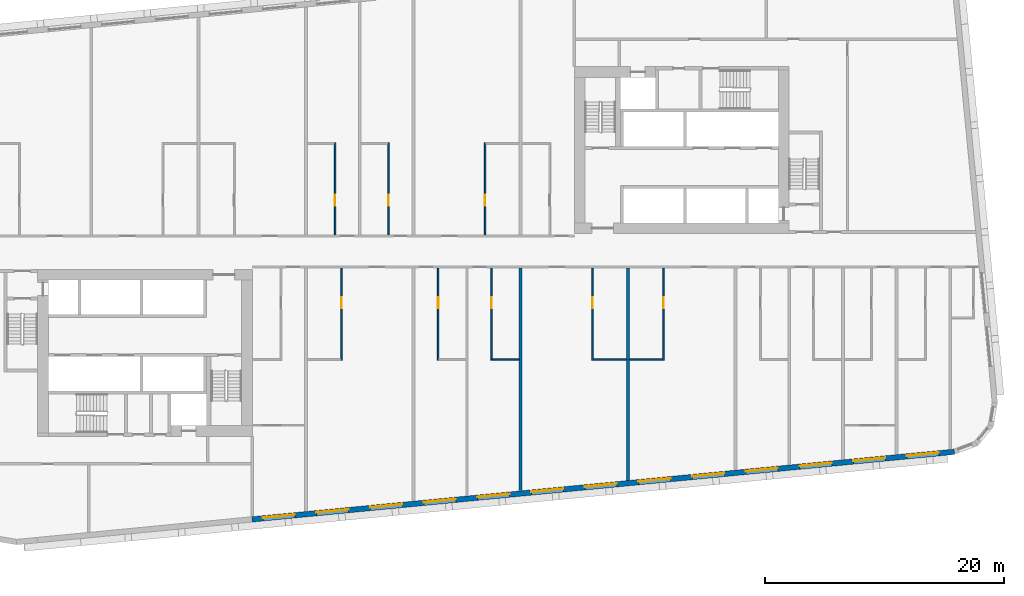
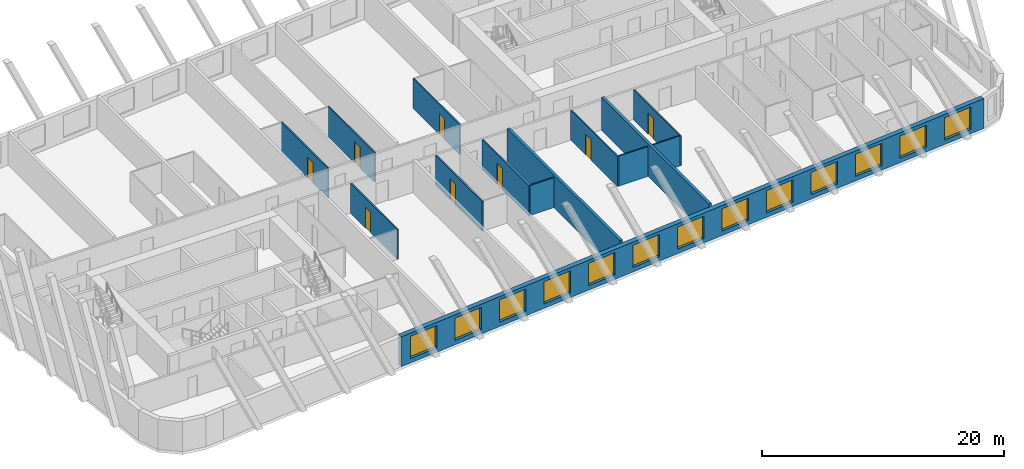
# One storey, part 4 of 13: 14 walls, 13 windows, 8 doors, 21 openings.
"""IFC4 building model written with IfcOpenShell, lengths in metres."""

from ifc_helpers import new_model, si_unit, direction, frame, frame_2d, origin, place, context, subcontext, project, spatial, rectangle, extrude, material, layer, layer_set, type_object, element, fill, save


model = new_model("IFC4")

# Units and contexts
model_context = context("Model", 3, precision=1e-05, world=origin(), true_north=direction((0.0, 1.0)))
body_context = subcontext(model_context, "Body", "Model", "MODEL_VIEW")
ifc_project = project(units=[si_unit("LENGTHUNIT", "METRE"), si_unit("AREAUNIT", "SQUARE_METRE"), si_unit("VOLUMEUNIT", "CUBIC_METRE"), si_unit("PLANEANGLEUNIT", "RADIAN"), si_unit("MASSUNIT", "GRAM", prefix="KILO")], contexts=[model_context])

# Site, building, storey
site_placement = place(None, origin())
site = spatial("IfcSite", under=ifc_project, at=site_placement, CompositionType="ELEMENT")
building_placement = place(site_placement, origin())
building = spatial("IfcBuilding", under=site, at=building_placement, Name="Kajstack Hotel Tower", CompositionType="ELEMENT")
storey_placement = place(building_placement, frame((0.0, 0.0, 130.60009765625)))
storey = spatial("IfcBuildingStorey", under=building, at=storey_placement, Name="L29", CompositionType="ELEMENT", Elevation=130.60009765625)

# Wall, openings, windows
ifc_material_1 = material(Name="Terracotta-faced brick masonry", Category="masonry")
ifc_layer_1 = layer(ifc_material_1, 0.449951171875)
ifc_layer_set_1 = layer_set([ifc_layer_1], Name="EW-TERRA")
wall_type_1 = type_object("IfcWallType", Name="EW-TERRA", PredefinedType="SOLIDWALL", material=ifc_layer_set_1)
wall_1_placement = place(storey_placement, frame((-13.521484375, -22.46044921875, 0.0), z_axis=(0.0, 0.0, 1.0), x_axis=(0.995396096335, 0.095846812164, 0.0)))
wall_1 = element("IfcWall", 1, at=wall_1_placement, inside=storey, type_object=wall_type_1, Name="E-wall-L29-04-02", PredefinedType="SOLIDWALL", context=body_context, shape_type="SweptSolid", body=[
    extrude(rectangle(XDim=59.15087890625, YDim=0.449951171875, at=frame_2d((29.575439453125, 0.0))), origin(), (0.0, 0.0, 1.0), 3.02001953125),
])
opening_1_placement = place(wall_1_placement, frame((0.910400390625, 0.0, 0.449951171875)))
opening_1 = element("IfcOpeningElement", 2, at=opening_1_placement, cuts=wall_1, Name="Opening W1", PredefinedType="OPENING", context=body_context, shape_type="SweptSolid", body=[
    extrude(rectangle(XDim=2.699951171875, YDim=2.25, at=frame_2d((1.35009765625, 1.125))), frame((0.0, 0.23486328125, 0.0), z_axis=(0.0, -1.0, 0.0), x_axis=(1.0, 0.0, 0.0)), (0.0, 0.0, 1.0), 0.469970703125),
])
opening_2_placement = place(wall_1_placement, frame((5.43115234375, 0.0, 0.449951171875)))
opening_2 = element("IfcOpeningElement", 3, at=opening_2_placement, cuts=wall_1, Name="Opening W1", PredefinedType="OPENING", context=body_context, shape_type="SweptSolid", body=[
    extrude(rectangle(XDim=2.699951171875, YDim=2.25, at=frame_2d((1.35009765625, 1.125))), frame((0.0, 0.23486328125, 0.0), z_axis=(0.0, -1.0, 0.0), x_axis=(1.0, 0.0, 0.0)), (0.0, 0.0, 1.0), 0.469970703125),
])
opening_3_placement = place(wall_1_placement, frame((9.951904296875, 0.0, 0.449951171875)))
opening_3 = element("IfcOpeningElement", 4, at=opening_3_placement, cuts=wall_1, Name="Opening W1", PredefinedType="OPENING", context=body_context, shape_type="SweptSolid", body=[
    extrude(rectangle(XDim=2.699951171875, YDim=2.25, at=frame_2d((1.35009765625, 1.125))), frame((0.0, 0.23486328125, 0.0), z_axis=(0.0, -1.0, 0.0), x_axis=(1.0, 0.0, 0.0)), (0.0, 0.0, 1.0), 0.469970703125),
])
opening_4_placement = place(wall_1_placement, frame((14.472900390625, 0.0, 0.449951171875)))
opening_4 = element("IfcOpeningElement", 5, at=opening_4_placement, cuts=wall_1, Name="Opening W1", PredefinedType="OPENING", context=body_context, shape_type="SweptSolid", body=[
    extrude(rectangle(XDim=2.699951171875, YDim=2.25, at=frame_2d((1.35009765625, 1.125))), frame((0.0, 0.23486328125, 0.0), z_axis=(0.0, -1.0, 0.0), x_axis=(1.0, 0.0, 0.0)), (0.0, 0.0, 1.0), 0.469970703125),
])
opening_5_placement = place(wall_1_placement, frame((18.99365234375, 0.0, 0.449951171875)))
opening_5 = element("IfcOpeningElement", 6, at=opening_5_placement, cuts=wall_1, Name="Opening W1", PredefinedType="OPENING", context=body_context, shape_type="SweptSolid", body=[
    extrude(rectangle(XDim=2.699951171875, YDim=2.25, at=frame_2d((1.35009765625, 1.125))), frame((0.0, 0.23486328125, 0.0), z_axis=(0.0, -1.0, 0.0), x_axis=(1.0, 0.0, 0.0)), (0.0, 0.0, 1.0), 0.469970703125),
])
opening_6_placement = place(wall_1_placement, frame((23.514404296875, 0.0, 0.449951171875)))
opening_6 = element("IfcOpeningElement", 7, at=opening_6_placement, cuts=wall_1, Name="Opening W1", PredefinedType="OPENING", context=body_context, shape_type="SweptSolid", body=[
    extrude(rectangle(XDim=2.699951171875, YDim=2.25, at=frame_2d((1.35009765625, 1.125))), frame((0.0, 0.23486328125, 0.0), z_axis=(0.0, -1.0, 0.0), x_axis=(1.0, 0.0, 0.0)), (0.0, 0.0, 1.0), 0.469970703125),
])
opening_7_placement = place(wall_1_placement, frame((28.035400390625, 0.0, 0.449951171875)))
opening_7 = element("IfcOpeningElement", 8, at=opening_7_placement, cuts=wall_1, Name="Opening W1", PredefinedType="OPENING", context=body_context, shape_type="SweptSolid", body=[
    extrude(rectangle(XDim=2.699951171875, YDim=2.25, at=frame_2d((1.35009765625, 1.125))), frame((0.0, 0.23486328125, 0.0), z_axis=(0.0, -1.0, 0.0), x_axis=(1.0, 0.0, 0.0)), (0.0, 0.0, 1.0), 0.469970703125),
])
opening_8_placement = place(wall_1_placement, frame((32.55615234375, 0.0, 0.449951171875)))
opening_8 = element("IfcOpeningElement", 9, at=opening_8_placement, cuts=wall_1, Name="Opening W1", PredefinedType="OPENING", context=body_context, shape_type="SweptSolid", body=[
    extrude(rectangle(XDim=2.699951171875, YDim=2.25, at=frame_2d((1.35009765625, 1.125))), frame((0.0, 0.23486328125, 0.0), z_axis=(0.0, -1.0, 0.0), x_axis=(1.0, 0.0, 0.0)), (0.0, 0.0, 1.0), 0.469970703125),
])
opening_9_placement = place(wall_1_placement, frame((37.076904296875, 0.0, 0.449951171875)))
opening_9 = element("IfcOpeningElement", 10, at=opening_9_placement, cuts=wall_1, Name="Opening W1", PredefinedType="OPENING", context=body_context, shape_type="SweptSolid", body=[
    extrude(rectangle(XDim=2.699951171875, YDim=2.25, at=frame_2d((1.35009765625, 1.125))), frame((0.0, 0.23486328125, 0.0), z_axis=(0.0, -1.0, 0.0), x_axis=(1.0, 0.0, 0.0)), (0.0, 0.0, 1.0), 0.469970703125),
])
opening_10_placement = place(wall_1_placement, frame((41.59765625, 0.0, 0.449951171875)))
opening_10 = element("IfcOpeningElement", 11, at=opening_10_placement, cuts=wall_1, Name="Opening W1", PredefinedType="OPENING", context=body_context, shape_type="SweptSolid", body=[
    extrude(rectangle(XDim=2.699951171875, YDim=2.25, at=frame_2d((1.35009765625, 1.125))), frame((0.0, 0.23486328125, 0.0), z_axis=(0.0, -1.0, 0.0), x_axis=(1.0, 0.0, 0.0)), (0.0, 0.0, 1.0), 0.469970703125),
])
opening_11_placement = place(wall_1_placement, frame((46.118408203125, 0.0, 0.449951171875)))
opening_11 = element("IfcOpeningElement", 12, at=opening_11_placement, cuts=wall_1, Name="Opening W1", PredefinedType="OPENING", context=body_context, shape_type="SweptSolid", body=[
    extrude(rectangle(XDim=2.699951171875, YDim=2.25, at=frame_2d((1.35009765625, 1.125))), frame((0.0, 0.23486328125, 0.0), z_axis=(0.0, -1.0, 0.0), x_axis=(1.0, 0.0, 0.0)), (0.0, 0.0, 1.0), 0.469970703125),
])
opening_12_placement = place(wall_1_placement, frame((50.639404296875, 0.0, 0.449951171875)))
opening_12 = element("IfcOpeningElement", 13, at=opening_12_placement, cuts=wall_1, Name="Opening W1", PredefinedType="OPENING", context=body_context, shape_type="SweptSolid", body=[
    extrude(rectangle(XDim=2.699951171875, YDim=2.25, at=frame_2d((1.35009765625, 1.125))), frame((0.0, 0.23486328125, 0.0), z_axis=(0.0, -1.0, 0.0), x_axis=(1.0, 0.0, 0.0)), (0.0, 0.0, 1.0), 0.469970703125),
])
opening_13_placement = place(wall_1_placement, frame((55.149658203125, 0.0, 0.449951171875)))
opening_13 = element("IfcOpeningElement", 14, at=opening_13_placement, cuts=wall_1, Name="Opening W1", PredefinedType="OPENING", context=body_context, shape_type="SweptSolid", body=[
    extrude(rectangle(XDim=2.699951171875, YDim=2.25, at=frame_2d((1.35009765625, 1.125))), frame((0.0, 0.23486328125, 0.0), z_axis=(0.0, -1.0, 0.0), x_axis=(1.0, 0.0, 0.0)), (0.0, 0.0, 1.0), 0.469970703125),
])
ifc_material_2 = material(Name="Timber-aluminium window, triple glazed", Category="wood")
window_type = type_object("IfcWindowType", Name="WG1", PartitioningType="SINGLE_PANEL", PredefinedType="WINDOW", material=ifc_material_2)
window_1_placement = place(opening_1_placement, origin())
window_1 = element("IfcWindow", 15, at=window_1_placement, inside=storey, type_object=window_type, Name="Window W1 L29-04", OverallHeight=2.25, OverallWidth=2.699951171875, PartitioningType="SINGLE_PANEL", PredefinedType="WINDOW", context=body_context, shape_type="SweptSolid", body=[
    extrude(rectangle(XDim=2.699951171875, YDim=2.25, at=frame_2d((1.35009765625, 1.125))), frame((0.0, 0.090087890625, 0.0), z_axis=(0.0, -1.0, 0.0), x_axis=(1.0, 0.0, 0.0)), (0.0, 0.0, 1.0), 0.06005859375),
])
fill(opening_1, window_1)
window_2_placement = place(opening_2_placement, origin())
window_2 = element("IfcWindow", 16, at=window_2_placement, inside=storey, type_object=window_type, Name="Window W1 L29-04", OverallHeight=2.25, OverallWidth=2.699951171875, PartitioningType="SINGLE_PANEL", PredefinedType="WINDOW", context=body_context, shape_type="SweptSolid", body=[
    extrude(rectangle(XDim=2.699951171875, YDim=2.25, at=frame_2d((1.35009765625, 1.125))), frame((0.0, 0.090087890625, 0.0), z_axis=(0.0, -1.0, 0.0), x_axis=(1.0, 0.0, 0.0)), (0.0, 0.0, 1.0), 0.06005859375),
])
fill(opening_2, window_2)
window_3_placement = place(opening_3_placement, origin())
window_3 = element("IfcWindow", 17, at=window_3_placement, inside=storey, type_object=window_type, Name="Window W1 L29-04", OverallHeight=2.25, OverallWidth=2.699951171875, PartitioningType="SINGLE_PANEL", PredefinedType="WINDOW", context=body_context, shape_type="SweptSolid", body=[
    extrude(rectangle(XDim=2.699951171875, YDim=2.25, at=frame_2d((1.35009765625, 1.125))), frame((0.0, 0.090087890625, 0.0), z_axis=(0.0, -1.0, 0.0), x_axis=(1.0, 0.0, 0.0)), (0.0, 0.0, 1.0), 0.06005859375),
])
fill(opening_3, window_3)
window_4_placement = place(opening_4_placement, origin())
window_4 = element("IfcWindow", 18, at=window_4_placement, inside=storey, type_object=window_type, Name="Window W1 L29-04", OverallHeight=2.25, OverallWidth=2.699951171875, PartitioningType="SINGLE_PANEL", PredefinedType="WINDOW", context=body_context, shape_type="SweptSolid", body=[
    extrude(rectangle(XDim=2.699951171875, YDim=2.25, at=frame_2d((1.35009765625, 1.125))), frame((0.0, 0.090087890625, 0.0), z_axis=(0.0, -1.0, 0.0), x_axis=(1.0, 0.0, 0.0)), (0.0, 0.0, 1.0), 0.06005859375),
])
fill(opening_4, window_4)
window_5_placement = place(opening_5_placement, origin())
window_5 = element("IfcWindow", 19, at=window_5_placement, inside=storey, type_object=window_type, Name="Window W1 L29-04", OverallHeight=2.25, OverallWidth=2.699951171875, PartitioningType="SINGLE_PANEL", PredefinedType="WINDOW", context=body_context, shape_type="SweptSolid", body=[
    extrude(rectangle(XDim=2.699951171875, YDim=2.25, at=frame_2d((1.35009765625, 1.125))), frame((0.0, 0.090087890625, 0.0), z_axis=(0.0, -1.0, 0.0), x_axis=(1.0, 0.0, 0.0)), (0.0, 0.0, 1.0), 0.06005859375),
])
fill(opening_5, window_5)
window_6_placement = place(opening_6_placement, origin())
window_6 = element("IfcWindow", 20, at=window_6_placement, inside=storey, type_object=window_type, Name="Window W1 L29-04", OverallHeight=2.25, OverallWidth=2.699951171875, PartitioningType="SINGLE_PANEL", PredefinedType="WINDOW", context=body_context, shape_type="SweptSolid", body=[
    extrude(rectangle(XDim=2.699951171875, YDim=2.25, at=frame_2d((1.35009765625, 1.125))), frame((0.0, 0.090087890625, 0.0), z_axis=(0.0, -1.0, 0.0), x_axis=(1.0, 0.0, 0.0)), (0.0, 0.0, 1.0), 0.06005859375),
])
fill(opening_6, window_6)
window_7_placement = place(opening_7_placement, origin())
window_7 = element("IfcWindow", 21, at=window_7_placement, inside=storey, type_object=window_type, Name="Window W1 L29-04", OverallHeight=2.25, OverallWidth=2.699951171875, PartitioningType="SINGLE_PANEL", PredefinedType="WINDOW", context=body_context, shape_type="SweptSolid", body=[
    extrude(rectangle(XDim=2.699951171875, YDim=2.25, at=frame_2d((1.35009765625, 1.125))), frame((0.0, 0.090087890625, 0.0), z_axis=(0.0, -1.0, 0.0), x_axis=(1.0, 0.0, 0.0)), (0.0, 0.0, 1.0), 0.06005859375),
])
fill(opening_7, window_7)
window_8_placement = place(opening_8_placement, origin())
window_8 = element("IfcWindow", 22, at=window_8_placement, inside=storey, type_object=window_type, Name="Window W1 L29-04", OverallHeight=2.25, OverallWidth=2.699951171875, PartitioningType="SINGLE_PANEL", PredefinedType="WINDOW", context=body_context, shape_type="SweptSolid", body=[
    extrude(rectangle(XDim=2.699951171875, YDim=2.25, at=frame_2d((1.35009765625, 1.125))), frame((0.0, 0.090087890625, 0.0), z_axis=(0.0, -1.0, 0.0), x_axis=(1.0, 0.0, 0.0)), (0.0, 0.0, 1.0), 0.06005859375),
])
fill(opening_8, window_8)
window_9_placement = place(opening_9_placement, origin())
window_9 = element("IfcWindow", 23, at=window_9_placement, inside=storey, type_object=window_type, Name="Window W1 L29-04", OverallHeight=2.25, OverallWidth=2.699951171875, PartitioningType="SINGLE_PANEL", PredefinedType="WINDOW", context=body_context, shape_type="SweptSolid", body=[
    extrude(rectangle(XDim=2.699951171875, YDim=2.25, at=frame_2d((1.35009765625, 1.125))), frame((0.0, 0.090087890625, 0.0), z_axis=(0.0, -1.0, 0.0), x_axis=(1.0, 0.0, 0.0)), (0.0, 0.0, 1.0), 0.06005859375),
])
fill(opening_9, window_9)
window_10_placement = place(opening_10_placement, origin())
window_10 = element("IfcWindow", 24, at=window_10_placement, inside=storey, type_object=window_type, Name="Window W1 L29-04", OverallHeight=2.25, OverallWidth=2.699951171875, PartitioningType="SINGLE_PANEL", PredefinedType="WINDOW", context=body_context, shape_type="SweptSolid", body=[
    extrude(rectangle(XDim=2.699951171875, YDim=2.25, at=frame_2d((1.35009765625, 1.125))), frame((0.0, 0.090087890625, 0.0), z_axis=(0.0, -1.0, 0.0), x_axis=(1.0, 0.0, 0.0)), (0.0, 0.0, 1.0), 0.06005859375),
])
fill(opening_10, window_10)
window_11_placement = place(opening_11_placement, origin())
window_11 = element("IfcWindow", 25, at=window_11_placement, inside=storey, type_object=window_type, Name="Window W1 L29-04", OverallHeight=2.25, OverallWidth=2.699951171875, PartitioningType="SINGLE_PANEL", PredefinedType="WINDOW", context=body_context, shape_type="SweptSolid", body=[
    extrude(rectangle(XDim=2.699951171875, YDim=2.25, at=frame_2d((1.35009765625, 1.125))), frame((0.0, 0.090087890625, 0.0), z_axis=(0.0, -1.0, 0.0), x_axis=(1.0, 0.0, 0.0)), (0.0, 0.0, 1.0), 0.06005859375),
])
fill(opening_11, window_11)
window_12_placement = place(opening_12_placement, origin())
window_12 = element("IfcWindow", 26, at=window_12_placement, inside=storey, type_object=window_type, Name="Window W1 L29-04", OverallHeight=2.25, OverallWidth=2.699951171875, PartitioningType="SINGLE_PANEL", PredefinedType="WINDOW", context=body_context, shape_type="SweptSolid", body=[
    extrude(rectangle(XDim=2.699951171875, YDim=2.25, at=frame_2d((1.35009765625, 1.125))), frame((0.0, 0.090087890625, 0.0), z_axis=(0.0, -1.0, 0.0), x_axis=(1.0, 0.0, 0.0)), (0.0, 0.0, 1.0), 0.06005859375),
])
fill(opening_12, window_12)
window_13_placement = place(opening_13_placement, origin())
window_13 = element("IfcWindow", 27, at=window_13_placement, inside=storey, type_object=window_type, Name="Window W1 L29-04", OverallHeight=2.25, OverallWidth=2.699951171875, PartitioningType="SINGLE_PANEL", PredefinedType="WINDOW", context=body_context, shape_type="SweptSolid", body=[
    extrude(rectangle(XDim=2.699951171875, YDim=2.25, at=frame_2d((1.35009765625, 1.125))), frame((0.0, 0.090087890625, 0.0), z_axis=(0.0, -1.0, 0.0), x_axis=(1.0, 0.0, 0.0)), (0.0, 0.0, 1.0), 0.06005859375),
])
fill(opening_13, window_13)

# Wall, opening, door
ifc_material_3 = material(Name="Gypsum board and tiled backer on steel studs", Category="steel")
ifc_layer_2 = layer(ifc_material_3, 0.125)
ifc_layer_set_2 = layer_set([ifc_layer_2], Name="En-suite wall 125")
wall_type_2 = type_object("IfcWallType", Name="En-suite wall 125", PredefinedType="PARTITIONING", material=ifc_layer_set_2)
wall_2_placement = place(storey_placement, frame((-6.56201171875, 1.39990234375, 0.0), z_axis=(0.0, 0.0, 1.0), x_axis=(0.0, 1.0, 0.0)))
wall_2 = element("IfcWall", 28, at=wall_2_placement, inside=storey, type_object=wall_type_2, Name="G-wall-L29-013", PredefinedType="PARTITIONING", context=body_context, shape_type="SweptSolid", body=[
    extrude(rectangle(XDim=7.72509765625, YDim=0.125, at=frame_2d((3.862548828125, 0.0))), origin(), (0.0, 0.0, 1.0), 3.02001953125),
])
opening_14_placement = place(wall_2_placement, frame((2.449951171875, 0.0, 0.0)))
opening_14 = element("IfcOpeningElement", 29, at=opening_14_placement, cuts=wall_2, Name="Opening 29010", PredefinedType="OPENING", context=body_context, shape_type="SweptSolid", body=[
    extrude(rectangle(XDim=0.89990234375, YDim=2.10009765625, at=frame_2d((0.449951171875, 1.050048828125))), frame((0.0, 0.072509765625, 0.0), z_axis=(0.0, -1.0, 0.0), x_axis=(1.0, 0.0, 0.0)), (0.0, 0.0, 1.0), 0.14501953125),
])
ifc_material_4 = material(Name="Painted timber door leaf", Category="wood")
door_type = type_object("IfcDoorType", Name="Room door 900", OperationType="SINGLE_SWING_LEFT", PredefinedType="DOOR", material=ifc_material_4)
door_1_placement = place(opening_14_placement, origin())
door_1 = element("IfcDoor", 30, at=door_1_placement, inside=storey, type_object=door_type, Name="G-door-L29-10", OperationType="SINGLE_SWING_LEFT", OverallHeight=2.10009765625, OverallWidth=0.89990234375, PredefinedType="DOOR", context=body_context, shape_type="SweptSolid", body=[
    extrude(rectangle(XDim=0.89990234375, YDim=2.10009765625, at=frame_2d((0.449951171875, 1.050048828125))), frame((0.0, 0.02490234375, 0.0), z_axis=(0.0, -1.0, 0.0), x_axis=(1.0, 0.0, 0.0)), (0.0, 0.0, 1.0), 0.050048828125),
])
fill(opening_14, door_1)

wall_3_placement = place(storey_placement, frame((-2.0869140625, 1.39990234375, 0.0), z_axis=(0.0, 0.0, 1.0), x_axis=(0.0, 1.0, 0.0)))
wall_3 = element("IfcWall", 31, at=wall_3_placement, inside=storey, type_object=wall_type_2, Name="G-wall-L29-015", PredefinedType="PARTITIONING", context=body_context, shape_type="SweptSolid", body=[
    extrude(rectangle(XDim=7.72509765625, YDim=0.125, at=frame_2d((3.862548828125, 0.0))), origin(), (0.0, 0.0, 1.0), 3.02001953125),
])
opening_15_placement = place(wall_3_placement, frame((2.449951171875, 0.0, 0.0)))
opening_15 = element("IfcOpeningElement", 32, at=opening_15_placement, cuts=wall_3, Name="Opening 29012", PredefinedType="OPENING", context=body_context, shape_type="SweptSolid", body=[
    extrude(rectangle(XDim=0.89990234375, YDim=2.10009765625, at=frame_2d((0.449951171875, 1.050048828125))), frame((0.0, 0.072509765625, 0.0), z_axis=(0.0, -1.0, 0.0), x_axis=(1.0, 0.0, 0.0)), (0.0, 0.0, 1.0), 0.14501953125),
])
door_2_placement = place(opening_15_placement, origin())
door_2 = element("IfcDoor", 33, at=door_2_placement, inside=storey, type_object=door_type, Name="G-door-L29-12", OperationType="SINGLE_SWING_LEFT", OverallHeight=2.10009765625, OverallWidth=0.89990234375, PredefinedType="DOOR", context=body_context, shape_type="SweptSolid", body=[
    extrude(rectangle(XDim=0.89990234375, YDim=2.10009765625, at=frame_2d((0.449951171875, 1.050048828125))), frame((0.0, 0.02490234375, 0.0), z_axis=(0.0, -1.0, 0.0), x_axis=(1.0, 0.0, 0.0)), (0.0, 0.0, 1.0), 0.050048828125),
])
fill(opening_15, door_2)

wall_4_placement = place(storey_placement, frame((6.012939453125, 1.39990234375, 0.0), z_axis=(0.0, 0.0, 1.0), x_axis=(0.0, 1.0, 0.0)))
wall_4 = element("IfcWall", 34, at=wall_4_placement, inside=storey, type_object=wall_type_2, Name="G-wall-L29-017", PredefinedType="PARTITIONING", context=body_context, shape_type="SweptSolid", body=[
    extrude(rectangle(XDim=7.72509765625, YDim=0.125, at=frame_2d((3.862548828125, 0.0))), origin(), (0.0, 0.0, 1.0), 3.02001953125),
])
opening_16_placement = place(wall_4_placement, frame((2.449951171875, 0.0, 0.0)))
opening_16 = element("IfcOpeningElement", 35, at=opening_16_placement, cuts=wall_4, Name="Opening 29014", PredefinedType="OPENING", context=body_context, shape_type="SweptSolid", body=[
    extrude(rectangle(XDim=0.89990234375, YDim=2.10009765625, at=frame_2d((0.449951171875, 1.050048828125))), frame((0.0, 0.072509765625, 0.0), z_axis=(0.0, -1.0, 0.0), x_axis=(1.0, 0.0, 0.0)), (0.0, 0.0, 1.0), 0.14501953125),
])
door_3_placement = place(opening_16_placement, origin())
door_3 = element("IfcDoor", 36, at=door_3_placement, inside=storey, type_object=door_type, Name="G-door-L29-14", OperationType="SINGLE_SWING_RIGHT", OverallHeight=2.10009765625, OverallWidth=0.89990234375, PredefinedType="DOOR", context=body_context, shape_type="SweptSolid", body=[
    extrude(rectangle(XDim=0.89990234375, YDim=2.10009765625, at=frame_2d((0.449951171875, 1.050048828125))), frame((0.0, 0.02490234375, 0.0), z_axis=(0.0, -1.0, 0.0), x_axis=(1.0, 0.0, 0.0)), (0.0, 0.0, 1.0), 0.050048828125),
])
fill(opening_16, door_3)

wall_5_placement = place(storey_placement, frame((-6.012939453125, -9.125, 0.0), z_axis=(0.0, 0.0, 1.0), x_axis=(0.0, 1.0, 0.0)))
wall_5 = element("IfcWall", 37, at=wall_5_placement, inside=storey, type_object=wall_type_2, Name="G-wall-L29-025", PredefinedType="PARTITIONING", context=body_context, shape_type="SweptSolid", body=[
    extrude(rectangle(XDim=7.72509765625, YDim=0.125, at=frame_2d((3.862548828125, 0.0))), origin(), (0.0, 0.0, 1.0), 3.02001953125),
])
opening_17_placement = place(wall_5_placement, frame((4.375, 0.0, 0.0)))
opening_17 = element("IfcOpeningElement", 38, at=opening_17_placement, cuts=wall_5, Name="Opening 29021", PredefinedType="OPENING", context=body_context, shape_type="SweptSolid", body=[
    extrude(rectangle(XDim=0.89990234375, YDim=2.10009765625, at=frame_2d((0.449951171875, 1.050048828125))), frame((0.0, 0.072509765625, 0.0), z_axis=(0.0, -1.0, 0.0), x_axis=(1.0, 0.0, 0.0)), (0.0, 0.0, 1.0), 0.14501953125),
])
door_4_placement = place(opening_17_placement, origin())
door_4 = element("IfcDoor", 39, at=door_4_placement, inside=storey, type_object=door_type, Name="G-door-L29-21", OperationType="SINGLE_SWING_RIGHT", OverallHeight=2.10009765625, OverallWidth=0.89990234375, PredefinedType="DOOR", context=body_context, shape_type="SweptSolid", body=[
    extrude(rectangle(XDim=0.89990234375, YDim=2.10009765625, at=frame_2d((0.449951171875, 1.050048828125))), frame((0.0, 0.02490234375, 0.0), z_axis=(0.0, -1.0, 0.0), x_axis=(1.0, 0.0, 0.0)), (0.0, 0.0, 1.0), 0.050048828125),
])
fill(opening_17, door_4)

wall_6_placement = place(storey_placement, frame((2.0869140625, -9.125, 0.0), z_axis=(0.0, 0.0, 1.0), x_axis=(0.0, 1.0, 0.0)))
wall_6 = element("IfcWall", 40, at=wall_6_placement, inside=storey, type_object=wall_type_2, Name="G-wall-L29-028", PredefinedType="PARTITIONING", context=body_context, shape_type="SweptSolid", body=[
    extrude(rectangle(XDim=7.72509765625, YDim=0.125, at=frame_2d((3.862548828125, 0.0))), origin(), (0.0, 0.0, 1.0), 3.02001953125),
])
opening_18_placement = place(wall_6_placement, frame((4.375, 0.0, 0.0)))
opening_18 = element("IfcOpeningElement", 41, at=opening_18_placement, cuts=wall_6, Name="Opening 29023", PredefinedType="OPENING", context=body_context, shape_type="SweptSolid", body=[
    extrude(rectangle(XDim=0.89990234375, YDim=2.10009765625, at=frame_2d((0.449951171875, 1.050048828125))), frame((0.0, 0.072509765625, 0.0), z_axis=(0.0, -1.0, 0.0), x_axis=(1.0, 0.0, 0.0)), (0.0, 0.0, 1.0), 0.14501953125),
])
door_5_placement = place(opening_18_placement, origin())
door_5 = element("IfcDoor", 42, at=door_5_placement, inside=storey, type_object=door_type, Name="G-door-L29-23", OperationType="SINGLE_SWING_LEFT", OverallHeight=2.10009765625, OverallWidth=0.89990234375, PredefinedType="DOOR", context=body_context, shape_type="SweptSolid", body=[
    extrude(rectangle(XDim=0.89990234375, YDim=2.10009765625, at=frame_2d((0.449951171875, 1.050048828125))), frame((0.0, 0.02490234375, 0.0), z_axis=(0.0, -1.0, 0.0), x_axis=(1.0, 0.0, 0.0)), (0.0, 0.0, 1.0), 0.050048828125),
])
fill(opening_18, door_5)

wall_7_placement = place(storey_placement, frame((6.56201171875, -9.125, 0.0), z_axis=(0.0, 0.0, 1.0), x_axis=(0.0, 1.0, 0.0)))
wall_7 = element("IfcWall", 43, at=wall_7_placement, inside=storey, type_object=wall_type_2, Name="G-wall-L29-030", PredefinedType="PARTITIONING", context=body_context, shape_type="SweptSolid", body=[
    extrude(rectangle(XDim=7.72509765625, YDim=0.125, at=frame_2d((3.862548828125, 0.0))), origin(), (0.0, 0.0, 1.0), 3.02001953125),
])
opening_19_placement = place(wall_7_placement, frame((4.375, 0.0, 0.0)))
opening_19 = element("IfcOpeningElement", 44, at=opening_19_placement, cuts=wall_7, Name="Opening 29025", PredefinedType="OPENING", context=body_context, shape_type="SweptSolid", body=[
    extrude(rectangle(XDim=0.89990234375, YDim=2.10009765625, at=frame_2d((0.449951171875, 1.050048828125))), frame((0.0, 0.072509765625, 0.0), z_axis=(0.0, -1.0, 0.0), x_axis=(1.0, 0.0, 0.0)), (0.0, 0.0, 1.0), 0.14501953125),
])
door_6_placement = place(opening_19_placement, origin())
door_6 = element("IfcDoor", 45, at=door_6_placement, inside=storey, type_object=door_type, Name="G-door-L29-25", OperationType="SINGLE_SWING_RIGHT", OverallHeight=2.10009765625, OverallWidth=0.89990234375, PredefinedType="DOOR", context=body_context, shape_type="SweptSolid", body=[
    extrude(rectangle(XDim=0.89990234375, YDim=2.10009765625, at=frame_2d((0.449951171875, 1.050048828125))), frame((0.0, 0.02490234375, 0.0), z_axis=(0.0, -1.0, 0.0), x_axis=(1.0, 0.0, 0.0)), (0.0, 0.0, 1.0), 0.050048828125),
])
fill(opening_19, door_6)

# Wall
wall_8_placement = place(storey_placement, frame((6.625, -9.06201171875, 0.0), z_axis=(0.0, 0.0, 1.0), x_axis=(1.0, 0.0, 0.0)))
element("IfcWall", 46, at=wall_8_placement, inside=storey, type_object=wall_type_2, Name="G-wall-L29-031", PredefinedType="PARTITIONING", context=body_context, shape_type="SweptSolid", body=[
    extrude(rectangle(XDim=2.25, YDim=0.125, at=frame_2d((1.125, 0.0))), origin(), (0.0, 0.0, 1.0), 3.02001953125),
])

# Wall, opening, door
wall_9_placement = place(storey_placement, frame((15.011962890625, -9.125, 0.0), z_axis=(0.0, 0.0, 1.0), x_axis=(0.0, 1.0, 0.0)))
wall_9 = element("IfcWall", 47, at=wall_9_placement, inside=storey, type_object=wall_type_2, Name="G-wall-L29-032", PredefinedType="PARTITIONING", context=body_context, shape_type="SweptSolid", body=[
    extrude(rectangle(XDim=7.72509765625, YDim=0.125, at=frame_2d((3.862548828125, 0.0))), origin(), (0.0, 0.0, 1.0), 3.02001953125),
])
opening_20_placement = place(wall_9_placement, frame((4.375, 0.0, 0.0)))
opening_20 = element("IfcOpeningElement", 48, at=opening_20_placement, cuts=wall_9, Name="Opening 29027", PredefinedType="OPENING", context=body_context, shape_type="SweptSolid", body=[
    extrude(rectangle(XDim=0.89990234375, YDim=2.10009765625, at=frame_2d((0.449951171875, 1.050048828125))), frame((0.0, 0.072509765625, 0.0), z_axis=(0.0, -1.0, 0.0), x_axis=(1.0, 0.0, 0.0)), (0.0, 0.0, 1.0), 0.14501953125),
])
door_7_placement = place(opening_20_placement, origin())
door_7 = element("IfcDoor", 49, at=door_7_placement, inside=storey, type_object=door_type, Name="G-door-L29-27", OperationType="SINGLE_SWING_LEFT", OverallHeight=2.10009765625, OverallWidth=0.89990234375, PredefinedType="DOOR", context=body_context, shape_type="SweptSolid", body=[
    extrude(rectangle(XDim=0.89990234375, YDim=2.10009765625, at=frame_2d((0.449951171875, 1.050048828125))), frame((0.0, 0.02490234375, 0.0), z_axis=(0.0, -1.0, 0.0), x_axis=(1.0, 0.0, 0.0)), (0.0, 0.0, 1.0), 0.050048828125),
])
fill(opening_20, door_7)

# Wall
wall_10_placement = place(storey_placement, frame((15.074951171875, -9.06201171875, 0.0), z_axis=(0.0, 0.0, 1.0), x_axis=(1.0, 0.0, 0.0)))
element("IfcWall", 50, at=wall_10_placement, inside=storey, type_object=wall_type_2, Name="G-wall-L29-033", PredefinedType="PARTITIONING", context=body_context, shape_type="SweptSolid", body=[
    extrude(rectangle(XDim=2.800048828125, YDim=0.125, at=frame_2d((1.39990234375, 0.0))), origin(), (0.0, 0.0, 1.0), 3.02001953125),
])

# Wall, opening, door
wall_11_placement = place(storey_placement, frame((20.988037109375, -9.125, 0.0), z_axis=(0.0, 0.0, 1.0), x_axis=(0.0, 1.0, 0.0)))
wall_11 = element("IfcWall", 51, at=wall_11_placement, inside=storey, type_object=wall_type_2, Name="G-wall-L29-034", PredefinedType="PARTITIONING", context=body_context, shape_type="SweptSolid", body=[
    extrude(rectangle(XDim=7.72509765625, YDim=0.125, at=frame_2d((3.862548828125, 0.0))), origin(), (0.0, 0.0, 1.0), 3.02001953125),
])
opening_21_placement = place(wall_11_placement, frame((4.375, 0.0, 0.0)))
opening_21 = element("IfcOpeningElement", 52, at=opening_21_placement, cuts=wall_11, Name="Opening 29029", PredefinedType="OPENING", context=body_context, shape_type="SweptSolid", body=[
    extrude(rectangle(XDim=0.89990234375, YDim=2.10009765625, at=frame_2d((0.449951171875, 1.050048828125))), frame((0.0, 0.072509765625, 0.0), z_axis=(0.0, -1.0, 0.0), x_axis=(1.0, 0.0, 0.0)), (0.0, 0.0, 1.0), 0.14501953125),
])
door_8_placement = place(opening_21_placement, origin())
door_8 = element("IfcDoor", 53, at=door_8_placement, inside=storey, type_object=door_type, Name="G-door-L29-29", OperationType="SINGLE_SWING_RIGHT", OverallHeight=2.10009765625, OverallWidth=0.89990234375, PredefinedType="DOOR", context=body_context, shape_type="SweptSolid", body=[
    extrude(rectangle(XDim=0.89990234375, YDim=2.10009765625, at=frame_2d((0.449951171875, 1.050048828125))), frame((0.0, 0.02490234375, 0.0), z_axis=(0.0, -1.0, 0.0), x_axis=(1.0, 0.0, 0.0)), (0.0, 0.0, 1.0), 0.050048828125),
])
fill(opening_21, door_8)

# Walls
wall_12_placement = place(storey_placement, frame((18.125, -9.06201171875, 0.0), z_axis=(0.0, 0.0, 1.0), x_axis=(1.0, 0.0, 0.0)))
element("IfcWall", 54, at=wall_12_placement, inside=storey, type_object=wall_type_2, Name="G-wall-L29-035", PredefinedType="PARTITIONING", context=body_context, shape_type="SweptSolid", body=[
    extrude(rectangle(XDim=2.800048828125, YDim=0.125, at=frame_2d((1.39990234375, 0.0))), origin(), (0.0, 0.0, 1.0), 3.02001953125),
])
ifc_material_5 = material(Name="Concrete C55/67", Category="concrete")
ifc_layer_3 = layer(ifc_material_5, 0.25)
ifc_layer_set_3 = layer_set([ifc_layer_3], Name="RC cross wall 250 C55/67")
wall_type_3 = type_object("IfcWallType", Name="RC cross wall 250 C55/67", PredefinedType="SHEAR", material=ifc_layer_set_3)
wall_13_placement = place(storey_placement, frame((9.0, -20.043701171875, 0.0), z_axis=(0.0, 0.0, 1.0), x_axis=(0.0, 1.0, 0.0)))
element("IfcWall", 55, at=wall_13_placement, inside=storey, type_object=wall_type_3, Name="S-wall-L29-08", PredefinedType="SHEAR", context=body_context, shape_type="SweptSolid", body=[
    extrude(rectangle(XDim=18.643798828125, YDim=0.25, at=frame_2d((9.32177734375, 0.0))), origin(), (0.0, 0.0, 1.0), 3.2998046875),
])
wall_14_placement = place(storey_placement, frame((18.0, -19.17724609375, 0.0), z_axis=(0.0, 0.0, 1.0), x_axis=(0.0, 1.0, 0.0)))
element("IfcWall", 56, at=wall_14_placement, inside=storey, type_object=wall_type_3, Name="S-wall-L29-10", PredefinedType="SHEAR", context=body_context, shape_type="SweptSolid", body=[
    extrude(rectangle(XDim=17.77734375, YDim=0.25, at=frame_2d((8.888671875, 0.0))), origin(), (0.0, 0.0, 1.0), 3.2998046875),
])

save(model, "model.ifc")
